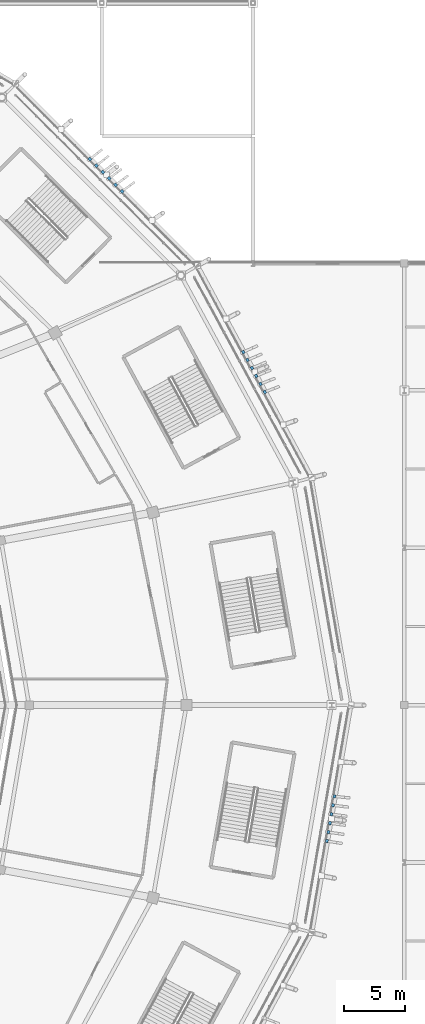
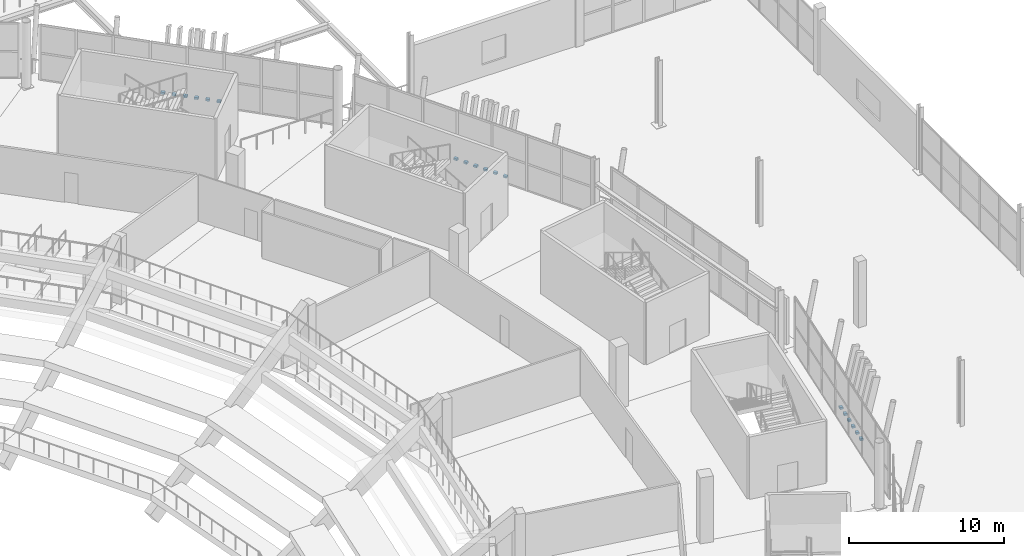
# One storey, part 141 of 178: 18 discrete accessories.
"""IFC4 building model written with IfcOpenShell, lengths in metres."""

from ifc_helpers import new_model, si_unit, direction, frame, origin, origin_2d, place, context, subcontext, project, spatial, rectangle, extrude, material, type_object, element, save


model = new_model("IFC4")

# Units and contexts
model_context = context("Model", 3, precision=1e-05, world=origin(), true_north=direction((0.0, 1.0)))
body_context = subcontext(model_context, "Body", "Model", "MODEL_VIEW")
ifc_project = project(units=[si_unit("LENGTHUNIT", "METRE"), si_unit("AREAUNIT", "SQUARE_METRE"), si_unit("VOLUMEUNIT", "CUBIC_METRE"), si_unit("PLANEANGLEUNIT", "RADIAN"), si_unit("MASSUNIT", "GRAM", prefix="KILO")], contexts=[model_context])

# Site, building, storey
site_placement = place(None, origin())
site = spatial("IfcSite", under=ifc_project, at=site_placement, CompositionType="ELEMENT")
building_placement = place(site_placement, origin())
building = spatial("IfcBuilding", under=site, at=building_placement, Name="Zlatoyarsky Gate Stadium", CompositionType="ELEMENT")
storey_placement = place(building_placement, frame((0.0, 0.0, 5.39990234375)))
storey = spatial("IfcBuildingStorey", under=building, at=storey_placement, Name="L01", CompositionType="ELEMENT", Elevation=5.39990234375)

# Discrete accessories
ifc_material = material(Name="Steel S355", Category="steel")
discrete_accessory_type = type_object("IfcDiscreteAccessoryType", Name="STEEL LOUVRE ANCHOR BRACKET 260X220X160", PredefinedType="BRACKET", material=ifc_material)
for number, where, z_axis, x_axis, name in (
    (1, (198.4765625, 105.8681640625, -0.02001953125), (0.0, 0.0, 1.0), (-0.475049594903, 0.879959023127, 0.0), "Louvre anchor bracket L01-01-1"),
    (2, (198.1201171875, 106.528076171875, -0.02001953125), (0.0, 0.0, 1.0), (-0.475049594903, 0.879959023127, 0.0), "Louvre anchor bracket L01-01-2"),
    (3, (197.763916015625, 107.18798828125, -0.02001953125), (0.0, 0.0, 1.0), (-0.475049594903, 0.879959023127, 0.0), "Louvre anchor bracket L01-01-3"),
    (4, (197.40771484375, 107.847900390625, -0.02001953125), (0.0, 0.0, 1.0), (-0.475049594903, 0.879959023127, 0.0), "Louvre anchor bracket L01-01-4"),
    (5, (197.051513671875, 108.508056640625, -0.02001953125), (0.0, 0.0, 1.0), (-0.475049594903, 0.879959023127, 0.0), "Louvre anchor bracket L01-01-5"),
    (6, (196.695068359375, 109.16796875, -0.02001953125), (0.0, 0.0, 1.0), (-0.475049594903, 0.879959023127, 0.0), "Louvre anchor bracket L01-01-6"),
    (7, (186.6787109375, 122.44921875, -0.02001953125), (0.0, 0.0, 1.0), (-0.70713737745, 0.707076183599, 0.0), "Louvre anchor bracket L01-02-1"),
    (8, (186.1484375, 122.9794921875, -0.02001953125), (0.0, 0.0, 1.0), (-0.70713737745, 0.707076183599, 0.0), "Louvre anchor bracket L01-02-2"),
    (9, (185.6181640625, 123.509765625, -0.02001953125), (0.0, 0.0, 1.0), (-0.70713737745, 0.707076183599, 0.0), "Louvre anchor bracket L01-02-3"),
    (10, (185.087646484375, 124.0400390625, -0.02001953125), (0.0, 0.0, 1.0), (-0.70713737745, 0.707076183599, 0.0), "Louvre anchor bracket L01-02-4"),
    (11, (184.557373046875, 124.5703125, -0.02001953125), (0.0, 0.0, 1.0), (-0.70713737745, 0.707076183599, 0.0), "Louvre anchor bracket L01-02-5"),
    (12, (184.027099609375, 125.1005859375, -0.02001953125), (0.0, 0.0, 1.0), (-0.70713737745, 0.707076183599, 0.0), "Louvre anchor bracket L01-02-6"),
    (13, (203.600830078125, 68.76611328125, -0.02001953125), (0.0, 0.0, 1.0), (0.169115662745, 0.985596211749, 0.0), "Louvre anchor bracket L01-23-1"),
    (14, (203.727783203125, 69.50537109375, -0.02001953125), (0.0, 0.0, 1.0), (0.169115662745, 0.985596211749, 0.0), "Louvre anchor bracket L01-23-2"),
    (15, (203.8544921875, 70.244384765625, -0.02001953125), (0.0, 0.0, 1.0), (0.169115662745, 0.985596211749, 0.0), "Louvre anchor bracket L01-23-3"),
    (16, (203.9814453125, 70.983642578125, -0.02001953125), (0.0, 0.0, 1.0), (0.169115662745, 0.985596211749, 0.0), "Louvre anchor bracket L01-23-4"),
    (17, (204.1083984375, 71.722900390625, -0.02001953125), (0.0, 0.0, 1.0), (0.169115662745, 0.985596211749, 0.0), "Louvre anchor bracket L01-23-5"),
    (18, (204.235107421875, 72.462158203125, -0.02001953125), (0.0, 0.0, 1.0), (0.169115662745, 0.985596211749, 0.0), "Louvre anchor bracket L01-23-6"),
):
    element("IfcDiscreteAccessory", number, at=place(storey_placement, frame(where, z_axis=z_axis, x_axis=x_axis)), inside=storey, type_object=discrete_accessory_type, Name=name, PredefinedType="BRACKET", context=body_context, shape_type="SweptSolid", body=[
        extrude(rectangle(XDim=0.260009765625, YDim=0.219970703125, at=origin_2d()), origin(), (0.0, 0.0, 1.0), 0.159912109375),
    ])

save(model, "model.ifc")
